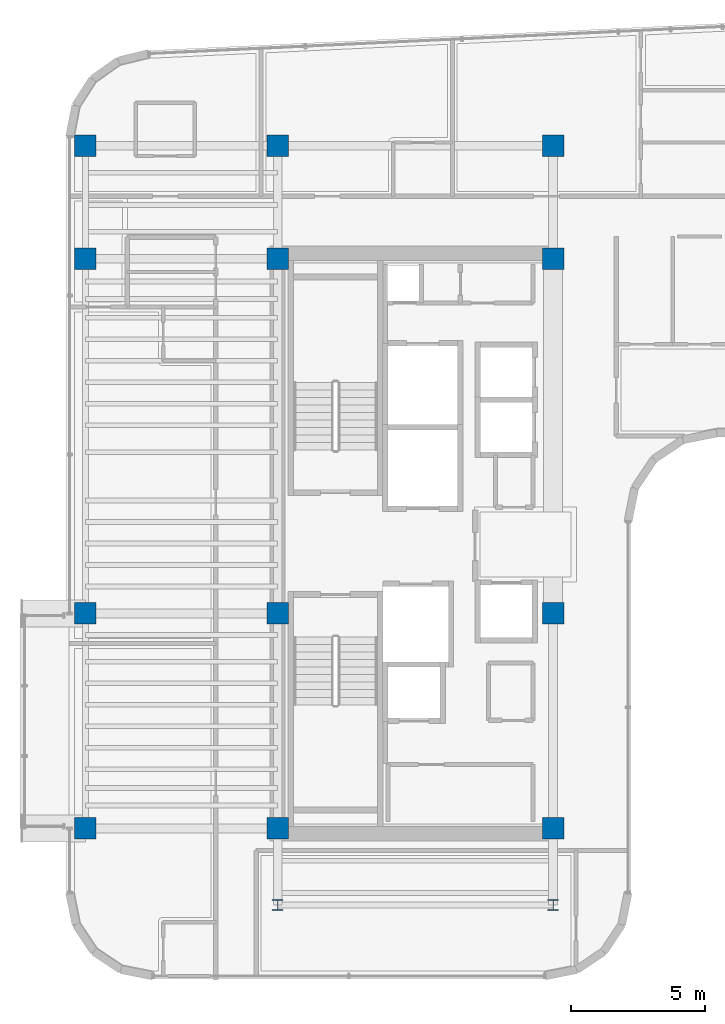
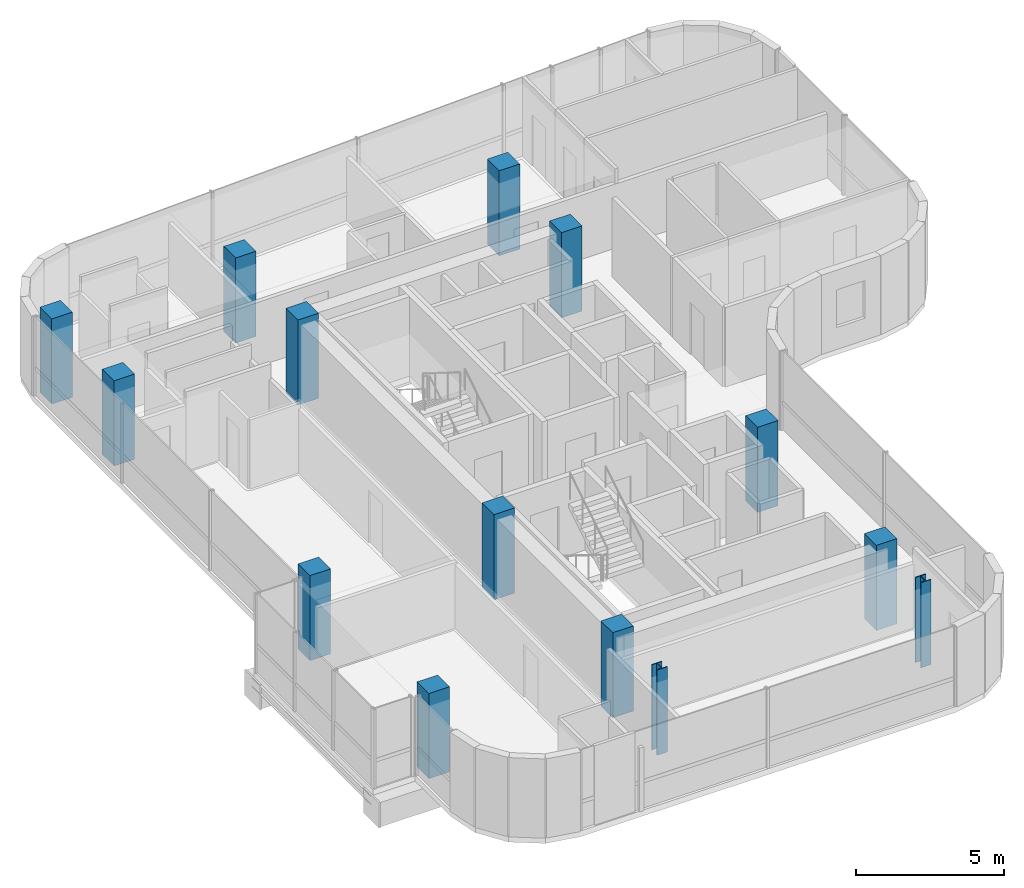
# One storey, part 1 of 19: 14 columns.
"""IFC4 building model written with IfcOpenShell, lengths in metres."""

from ifc_helpers import new_model, si_unit, direction, frame, origin, origin_2d, place, context, subcontext, project, spatial, rectangle, i_section, extrude, source, transform, mapped, material, material_profile, profile_set, type_object, element, save


model = new_model("IFC4")

# Units and contexts
model_context = context("Model", 3, precision=1e-05, world=origin(), true_north=direction((0.0, 1.0)))
body_context = subcontext(model_context, "Body", "Model", "MODEL_VIEW")
ifc_project = project(units=[si_unit("LENGTHUNIT", "METRE"), si_unit("AREAUNIT", "SQUARE_METRE"), si_unit("VOLUMEUNIT", "CUBIC_METRE"), si_unit("PLANEANGLEUNIT", "RADIAN"), si_unit("MASSUNIT", "GRAM", prefix="KILO")], contexts=[model_context])

# Site, building, storey
site_placement = place(None, origin())
site = spatial("IfcSite", under=ifc_project, at=site_placement, CompositionType="ELEMENT")
building_placement = place(site_placement, origin())
building = spatial("IfcBuilding", under=site, at=building_placement, Name="Valdorenza Pilgrim Sanctuary Tower", CompositionType="ELEMENT")
storey_placement = place(building_placement, frame((0.0, 0.0, 269.5)))
storey = spatial("IfcBuildingStorey", under=building, at=storey_placement, Name="L70", CompositionType="ELEMENT", Elevation=269.5)

# Columns
ifc_material_1 = material(Name="Concrete C50/60", Category="concrete")
ifc_material_profile_1 = material_profile(ifc_material_1, rectangle(XDim=0.800048828125, YDim=0.800048828125, at=origin_2d()), Name="RC 800x800")
ifc_profile_set_1 = profile_set([ifc_material_profile_1], Name="Concrete C50/60")
column_type_1 = type_object("IfcColumnType", Name="COL-Z4B-800", PredefinedType="COLUMN", material=ifc_profile_set_1)
shared_shape_1 = source(origin(), body_context, "Body", "SweptSolid", [
    extrude(rectangle(XDim=0.800048828125, YDim=0.800048828125, at=origin_2d()), origin(), (0.0, 0.0, 1.0), 3.5),
])
for number, where, z_axis, x_axis, name in (
    (1, (-29.800048828125, -10.60009765625, 0.0), (0.0, 0.0, 1.0), (1.0, 0.0, 0.0), "L70 Perimeter Column WA-W-S1"),
    (2, (-22.64990234375, -10.60009765625, 0.0), (0.0, 0.0, 1.0), (1.0, 0.0, 0.0), "L70 Column CA-W-S1"),
    (3, (-12.39990234375, -10.60009765625, 0.0), (0.0, 0.0, 1.0), (1.0, 0.0, 0.0), "L70 Column CA-E-S1"),
    (4, (-29.800048828125, -2.60009765625, 0.0), (0.0, 0.0, 1.0), (1.0, 0.0, 0.0), "L70 Perimeter Column WA-W-M0"),
    (5, (-22.64990234375, -2.60009765625, 0.0), (0.0, 0.0, 1.0), (1.0, 0.0, 0.0), "L70 Column CA-W-M0"),
    (6, (-12.39990234375, -2.60009765625, 0.0), (0.0, 0.0, 1.0), (1.0, 0.0, 0.0), "L70 Column CA-E-M0"),
    (7, (-29.800048828125, 10.60009765625, 0.0), (0.0, 0.0, 1.0), (1.0, 0.0, 0.0), "L70 Perimeter Column WA-W-N1"),
    (8, (-22.64990234375, 10.60009765625, 0.0), (0.0, 0.0, 1.0), (1.0, 0.0, 0.0), "L70 Column CA-W-N1"),
    (9, (-12.39990234375, 10.60009765625, 0.0), (0.0, 0.0, 1.0), (1.0, 0.0, 0.0), "L70 Column CA-E-N1"),
    (10, (-29.800048828125, 14.800048828125, 0.0), (0.0, 0.0, 1.0), (1.0, 0.0, 0.0), "L70 Perimeter Column WA-W-N2"),
    (11, (-22.64990234375, 14.800048828125, 0.0), (0.0, 0.0, 1.0), (1.0, 0.0, 0.0), "L70 Column CA-W-N2"),
    (12, (-12.39990234375, 14.800048828125, 0.0), (0.0, 0.0, 1.0), (1.0, 0.0, 0.0), "L70 Column CA-E-N2"),
):
    element("IfcColumn", number, at=place(storey_placement, frame(where, z_axis=z_axis, x_axis=x_axis)), inside=storey, type_object=column_type_1, Name=name, PredefinedType="COLUMN", context=body_context, shape_type="MappedRepresentation", body=[
        mapped(shared_shape_1, transform((0.0, 0.0, 0.0), x_axis=(1.0, 0.0, 0.0), y_axis=(0.0, 1.0, 0.0), z_axis=(0.0, 0.0, 1.0), scale=1.0)),
    ])
ifc_material_2 = material(Name="Steel ASTM A992 Grade 50", Category="steel")
ifc_material_profile_2 = material_profile(ifc_material_2, i_section(OverallWidth=0.40087890625, OverallDepth=0.39892578125, WebThickness=0.02490234375, FlangeThickness=0.03955078125, at=origin_2d()), Name="W14X211")
ifc_profile_set_2 = profile_set([ifc_material_profile_2], Name="Steel ASTM A992 Grade 50")
column_type_2 = type_object("IfcColumnType", Name="COL-STL-W211", PredefinedType="COLUMN", material=ifc_profile_set_2)
shared_shape_2 = source(origin(), body_context, "Body", "SweptSolid", [
    extrude(i_section(OverallWidth=0.40087890625, OverallDepth=0.39892578125, WebThickness=0.02490234375, FlangeThickness=0.03955078125, at=origin_2d()), origin(), (0.0, 0.0, 1.0), 3.5),
])
for number, where, z_axis, x_axis, name in (
    (13, (-22.64990234375, -13.449951171875, 0.0), (0.0, 0.0, 1.0), (1.0, 0.0, 0.0), "L70 Column WA-S-W"),
    (14, (-12.39990234375, -13.449951171875, 0.0), (0.0, 0.0, 1.0), (1.0, 0.0, 0.0), "L70 Column WA-S-E"),
):
    element("IfcColumn", number, at=place(storey_placement, frame(where, z_axis=z_axis, x_axis=x_axis)), inside=storey, type_object=column_type_2, Name=name, PredefinedType="COLUMN", context=body_context, shape_type="MappedRepresentation", body=[
        mapped(shared_shape_2, transform((0.0, 0.0, 0.0), x_axis=(1.0, 0.0, 0.0), y_axis=(0.0, 1.0, 0.0), z_axis=(0.0, 0.0, 1.0), scale=1.0)),
    ])

save(model, "model.ifc")
